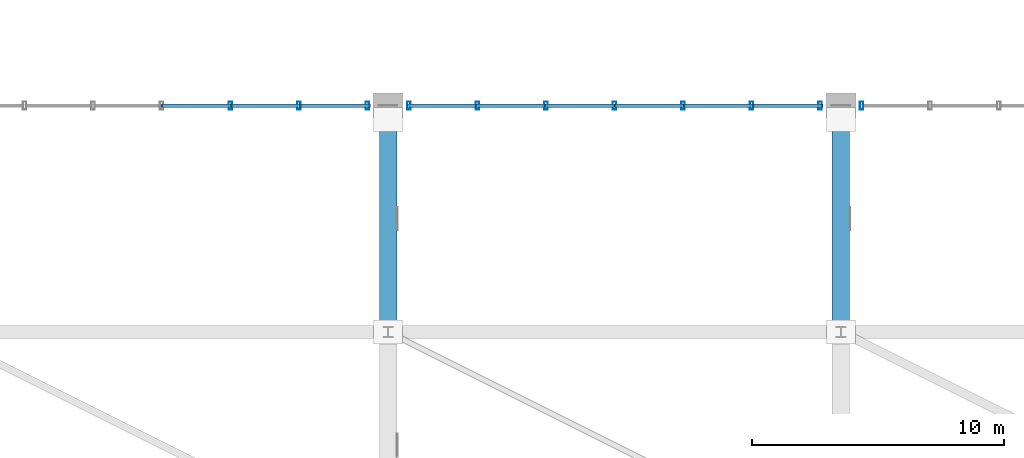
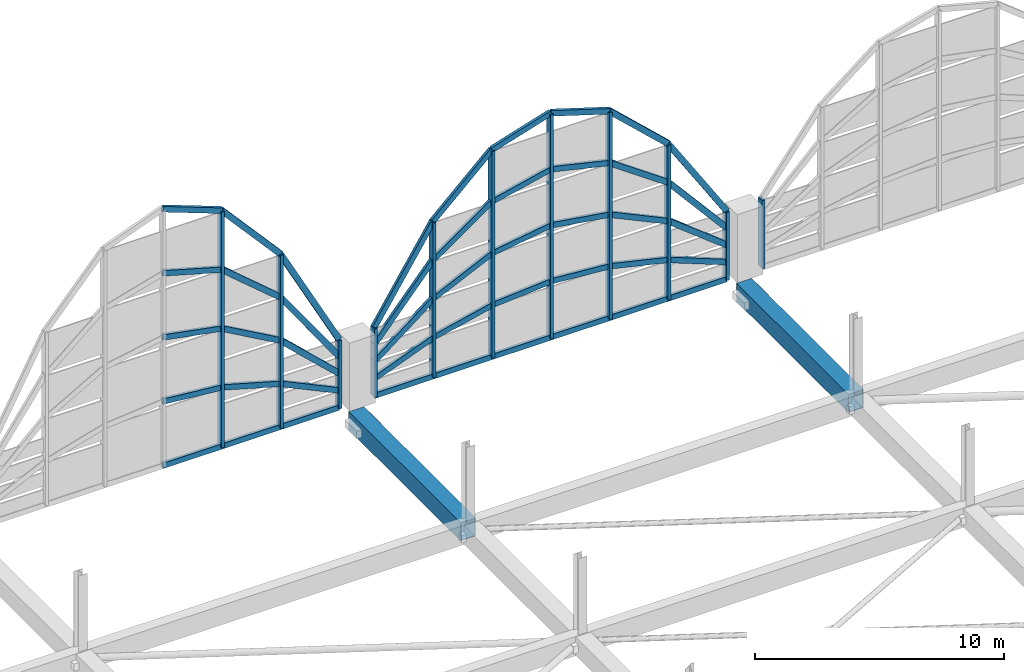
# One storey, part 52 of 116: 56 members, 2 beams, 3 elements without a shape of their own.
"""IFC4 building model written with IfcOpenShell, lengths in metres."""

from ifc_helpers import new_model, si_unit, direction, frame, origin, origin_2d, place, context, subcontext, project, spatial, hollow_rectangle, extrude, material, material_profile, profile_set, type_object, element, aggregate, save


model = new_model("IFC4")

# Units and contexts
model_context = context("Model", 3, precision=1e-05, world=origin(), true_north=direction((0.0, 1.0)))
body_context = subcontext(model_context, "Body", "Model", "MODEL_VIEW")
ifc_project = project(units=[si_unit("LENGTHUNIT", "METRE"), si_unit("AREAUNIT", "SQUARE_METRE"), si_unit("VOLUMEUNIT", "CUBIC_METRE"), si_unit("PLANEANGLEUNIT", "RADIAN"), si_unit("MASSUNIT", "GRAM", prefix="KILO")], contexts=[model_context])

# Site, building, storey
site_placement = place(None, origin())
site = spatial("IfcSite", under=ifc_project, at=site_placement, CompositionType="ELEMENT")
building_placement = place(site_placement, origin())
building = spatial("IfcBuilding", under=site, at=building_placement, Name="Chuanluo Vaults Station", CompositionType="ELEMENT")
storey_placement = place(building_placement, frame((0.0, 0.0, 10.800048828125)))
storey = spatial("IfcBuildingStorey", under=building, at=storey_placement, Name="L02", CompositionType="ELEMENT", Elevation=10.800048828125)

# Beams
ifc_material_1 = material(Name="Steel Q390C", Category="steel")
ifc_material_profile_1 = material_profile(ifc_material_1, hollow_rectangle(XDim=0.699951171875, YDim=0.89990234375, WallThickness=0.035888671875, at=origin_2d()))
ifc_profile_set_1 = profile_set([ifc_material_profile_1], Name="Steel Q390C")
beam_type = type_object("IfcBeamType", Name="BM-TT-TOP", PredefinedType="USERDEFINED", material=ifc_profile_set_1)
for number, where, z_axis, x_axis, name in (
    (1, (72.0, 94.5, -0.85009765625), (0.0, 1.0, 0.0), (-1.0, 0.0, 0.0), "Transfer truss TT-5 top chord 4"),
    (2, (90.0, 94.5, -0.85009765625), (0.0, 1.0, 0.0), (-1.0, 0.0, 0.0), "Transfer truss TT-6 top chord 4"),
):
    element("IfcBeam", number, at=place(storey_placement, frame(where, z_axis=z_axis, x_axis=x_axis)), inside=storey, type_object=beam_type, Name=name, ObjectType="GIRDER", PredefinedType="USERDEFINED", context=body_context, shape_type="SweptSolid", body=[
        extrude(hollow_rectangle(XDim=0.699951171875, YDim=0.89990234375, WallThickness=0.035888671875, at=origin_2d()), origin(), (0.0, 0.0, 1.0), 9.0),
    ])

# Curtain wall, members
ifc_material_2 = material(Name="Anodised aluminium 6063-T6", Category="aluminium")
curtain_wall_type_1 = type_object("IfcCurtainWallType", Name="CW-SYS-13", PredefinedType="NOTDEFINED", material=ifc_material_2)
curtain_wall_1_placement = place(storey_placement, origin())
curtain_wall_1 = element("IfcCurtainWall", 3, at=curtain_wall_1_placement, inside=storey, type_object=curtain_wall_type_1, Name="Vault V4 north arched curtain wall", PredefinedType="NOTDEFINED")
ifc_material_3 = material(Name="Anodised aluminium 6063-T6", Category="aluminium")
ifc_material_profile_2 = material_profile(ifc_material_3, hollow_rectangle(XDim=0.139892578125, YDim=0.320068359375, WallThickness=0.008056640625, at=origin_2d()))
ifc_profile_set_2 = profile_set([ifc_material_profile_2], Name="Anodised aluminium 6063-T6")
member_type_1 = type_object("IfcMemberType", Name="CWM-220", PredefinedType="MULLION", material=ifc_profile_set_2)
member_1_placement = place(storey_placement, frame((65.72509765625, 103.5, 0.0), z_axis=(0.0, 0.0, 1.0), x_axis=(1.0, 0.0, 0.0)))
member_1 = element("IfcMember", 4, at=member_1_placement, type_object=member_type_1, Name="Vault V4 north arched curtain wall mullion 5", PredefinedType="MULLION", context=body_context, shape_type="SweptSolid", body=[
    extrude(hollow_rectangle(XDim=0.139892578125, YDim=0.320068359375, WallThickness=0.008056640625, at=origin_2d()), origin(), (0.0, 0.0, 1.0), 11.572265625),
])
member_2_placement = place(storey_placement, frame((68.449951171875, 103.5, 0.0), z_axis=(0.0, 0.0, 1.0), x_axis=(1.0, 0.0, 0.0)))
member_2 = element("IfcMember", 5, at=member_2_placement, type_object=member_type_1, Name="Vault V4 north arched curtain wall mullion 6", PredefinedType="MULLION", context=body_context, shape_type="SweptSolid", body=[
    extrude(hollow_rectangle(XDim=0.139892578125, YDim=0.320068359375, WallThickness=0.008056640625, at=origin_2d()), origin(), (0.0, 0.0, 1.0), 8.48876953125),
])
member_3_placement = place(storey_placement, frame((71.175048828125, 103.5, 0.0), z_axis=(0.0, 0.0, 1.0), x_axis=(1.0, 0.0, 0.0)))
member_3 = element("IfcMember", 6, at=member_3_placement, type_object=member_type_1, Name="Vault V4 north arched curtain wall mullion 7", PredefinedType="MULLION", context=body_context, shape_type="SweptSolid", body=[
    extrude(hollow_rectangle(XDim=0.139892578125, YDim=0.320068359375, WallThickness=0.008056640625, at=origin_2d()), origin(), (0.0, 0.0, 1.0), 3.349853515625),
])

ifc_material_4 = material(Name="Anodised aluminium 6063-T6", Category="aluminium")
curtain_wall_type_2 = type_object("IfcCurtainWallType", Name="CW-SYS-17", PredefinedType="NOTDEFINED", material=ifc_material_4)
curtain_wall_2_placement = place(storey_placement, origin())
curtain_wall_2 = element("IfcCurtainWall", 7, at=curtain_wall_2_placement, inside=storey, type_object=curtain_wall_type_2, Name="Vault V5 north arched curtain wall", PredefinedType="NOTDEFINED")
member_4_placement = place(storey_placement, frame((72.824951171875, 103.5, 0.0), z_axis=(0.0, 0.0, 1.0), x_axis=(1.0, 0.0, 0.0)))
member_4 = element("IfcMember", 8, at=member_4_placement, type_object=member_type_1, Name="Vault V5 north arched curtain wall mullion 1", PredefinedType="MULLION", context=body_context, shape_type="SweptSolid", body=[
    extrude(hollow_rectangle(XDim=0.139892578125, YDim=0.320068359375, WallThickness=0.008056640625, at=origin_2d()), origin(), (0.0, 0.0, 1.0), 3.349853515625),
])
member_5_placement = place(storey_placement, frame((75.550048828125, 103.5, 0.0), z_axis=(0.0, 0.0, 1.0), x_axis=(1.0, 0.0, 0.0)))
member_5 = element("IfcMember", 9, at=member_5_placement, type_object=member_type_1, Name="Vault V5 north arched curtain wall mullion 2", PredefinedType="MULLION", context=body_context, shape_type="SweptSolid", body=[
    extrude(hollow_rectangle(XDim=0.139892578125, YDim=0.320068359375, WallThickness=0.008056640625, at=origin_2d()), origin(), (0.0, 0.0, 1.0), 7.599853515625),
])
member_6_placement = place(storey_placement, frame((78.27490234375, 103.5, 0.0), z_axis=(0.0, 0.0, 1.0), x_axis=(1.0, 0.0, 0.0)))
member_6 = element("IfcMember", 10, at=member_6_placement, type_object=member_type_1, Name="Vault V5 north arched curtain wall mullion 3", PredefinedType="MULLION", context=body_context, shape_type="SweptSolid", body=[
    extrude(hollow_rectangle(XDim=0.139892578125, YDim=0.320068359375, WallThickness=0.008056640625, at=origin_2d()), origin(), (0.0, 0.0, 1.0), 10.14990234375),
])
member_7_placement = place(storey_placement, frame((81.0, 103.5, 0.0), z_axis=(0.0, 0.0, 1.0), x_axis=(1.0, 0.0, 0.0)))
member_7 = element("IfcMember", 11, at=member_7_placement, type_object=member_type_1, Name="Vault V5 north arched curtain wall mullion 4", PredefinedType="MULLION", context=body_context, shape_type="SweptSolid", body=[
    extrude(hollow_rectangle(XDim=0.139892578125, YDim=0.320068359375, WallThickness=0.008056640625, at=origin_2d()), origin(), (0.0, 0.0, 1.0), 11.0),
])
member_8_placement = place(storey_placement, frame((83.72509765625, 103.5, 0.0), z_axis=(0.0, 0.0, 1.0), x_axis=(1.0, 0.0, 0.0)))
member_8 = element("IfcMember", 12, at=member_8_placement, type_object=member_type_1, Name="Vault V5 north arched curtain wall mullion 5", PredefinedType="MULLION", context=body_context, shape_type="SweptSolid", body=[
    extrude(hollow_rectangle(XDim=0.139892578125, YDim=0.320068359375, WallThickness=0.008056640625, at=origin_2d()), origin(), (0.0, 0.0, 1.0), 10.14990234375),
])
member_9_placement = place(storey_placement, frame((86.449951171875, 103.5, 0.0), z_axis=(0.0, 0.0, 1.0), x_axis=(1.0, 0.0, 0.0)))
member_9 = element("IfcMember", 13, at=member_9_placement, type_object=member_type_1, Name="Vault V5 north arched curtain wall mullion 6", PredefinedType="MULLION", context=body_context, shape_type="SweptSolid", body=[
    extrude(hollow_rectangle(XDim=0.139892578125, YDim=0.320068359375, WallThickness=0.008056640625, at=origin_2d()), origin(), (0.0, 0.0, 1.0), 7.599853515625),
])
member_10_placement = place(storey_placement, frame((89.175048828125, 103.5, 0.0), z_axis=(0.0, 0.0, 1.0), x_axis=(1.0, 0.0, 0.0)))
member_10 = element("IfcMember", 14, at=member_10_placement, type_object=member_type_1, Name="Vault V5 north arched curtain wall mullion 7", PredefinedType="MULLION", context=body_context, shape_type="SweptSolid", body=[
    extrude(hollow_rectangle(XDim=0.139892578125, YDim=0.320068359375, WallThickness=0.008056640625, at=origin_2d()), origin(), (0.0, 0.0, 1.0), 3.349853515625),
])

# Curtain wall, member
ifc_material_5 = material(Name="Anodised aluminium 6063-T6", Category="aluminium")
curtain_wall_type_3 = type_object("IfcCurtainWallType", Name="CW-SYS-21", PredefinedType="NOTDEFINED", material=ifc_material_5)
curtain_wall_3_placement = place(storey_placement, origin())
curtain_wall_3 = element("IfcCurtainWall", 15, at=curtain_wall_3_placement, inside=storey, type_object=curtain_wall_type_3, Name="Vault V6 north arched curtain wall", PredefinedType="NOTDEFINED")
member_11_placement = place(storey_placement, frame((90.824951171875, 103.5, 0.0), z_axis=(0.0, 0.0, 1.0), x_axis=(1.0, 0.0, 0.0)))
member_11 = element("IfcMember", 16, at=member_11_placement, type_object=member_type_1, Name="Vault V6 north arched curtain wall mullion 1", PredefinedType="MULLION", context=body_context, shape_type="SweptSolid", body=[
    extrude(hollow_rectangle(XDim=0.139892578125, YDim=0.320068359375, WallThickness=0.008056640625, at=origin_2d()), origin(), (0.0, 0.0, 1.0), 3.349853515625),
])
aggregate(curtain_wall_3, [member_11])

# Member
ifc_material_6 = material(Name="Anodised aluminium 6063-T6", Category="aluminium")
ifc_material_profile_3 = material_profile(ifc_material_6, hollow_rectangle(XDim=0.139892578125, YDim=0.260009765625, WallThickness=0.007080078125, at=origin_2d()))
ifc_profile_set_3 = profile_set([ifc_material_profile_3], Name="Anodised aluminium 6063-T6")
member_type_2 = type_object("IfcMemberType", Name="CWT-180", PredefinedType="USERDEFINED", material=ifc_profile_set_3)
member_12_placement = place(storey_placement, frame((63.0, 103.5, 0.0), z_axis=(1.0, 0.0, 0.0), x_axis=(0.0, 1.0, 0.0)))
member_12 = element("IfcMember", 17, at=member_12_placement, type_object=member_type_2, Name="Vault V4 north arched curtain wall transom 4.1", ObjectType="TRANSOM", PredefinedType="USERDEFINED", context=body_context, shape_type="SweptSolid", body=[
    extrude(hollow_rectangle(XDim=0.139892578125, YDim=0.260009765625, WallThickness=0.007080078125, at=origin_2d()), origin(), (0.0, 0.0, 1.0), 2.72509765625),
])

member_13_placement = place(storey_placement, frame((63.0, 103.5, 3.14990234375), z_axis=(0.995587996342, 0.0, -0.093832518559), x_axis=(0.0, 1.0, 0.0)))
member_13 = element("IfcMember", 18, at=member_13_placement, type_object=member_type_2, Name="Vault V4 north arched curtain wall transom 4.2", ObjectType="TRANSOM", PredefinedType="USERDEFINED", context=body_context, shape_type="SweptSolid", body=[
    extrude(hollow_rectangle(XDim=0.139892578125, YDim=0.260009765625, WallThickness=0.007080078125, at=origin_2d()), origin(), (0.0, 0.0, 1.0), 2.737060546875),
])

member_14_placement = place(storey_placement, frame((63.0, 103.5, 6.300048828125), z_axis=(0.982678294961, 0.0, -0.185319639034), x_axis=(0.0, 1.0, 0.0)))
member_14 = element("IfcMember", 19, at=member_14_placement, type_object=member_type_2, Name="Vault V4 north arched curtain wall transom 4.3", ObjectType="TRANSOM", PredefinedType="USERDEFINED", context=body_context, shape_type="SweptSolid", body=[
    extrude(hollow_rectangle(XDim=0.139892578125, YDim=0.260009765625, WallThickness=0.007080078125, at=origin_2d()), origin(), (0.0, 0.0, 1.0), 2.773193359375),
])

member_15_placement = place(storey_placement, frame((63.0, 103.5, 9.449951171875), z_axis=(0.962252488614, 0.0, -0.272158314509), x_axis=(0.0, 1.0, 0.0)))
member_15 = element("IfcMember", 20, at=member_15_placement, type_object=member_type_2, Name="Vault V4 north arched curtain wall transom 4.4", ObjectType="TRANSOM", PredefinedType="USERDEFINED", context=body_context, shape_type="SweptSolid", body=[
    extrude(hollow_rectangle(XDim=0.139892578125, YDim=0.260009765625, WallThickness=0.007080078125, at=origin_2d()), origin(), (0.0, 0.0, 1.0), 2.83203125),
])

member_16_placement = place(storey_placement, frame((63.0, 103.5, 12.599853515625), z_axis=(0.935686851878, 0.0, -0.35283156778), x_axis=(0.0, 1.0, 0.0)))
member_16 = element("IfcMember", 21, at=member_16_placement, type_object=member_type_2, Name="Vault V4 north arched curtain wall transom 4.5", ObjectType="TRANSOM", PredefinedType="USERDEFINED", context=body_context, shape_type="SweptSolid", body=[
    extrude(hollow_rectangle(XDim=0.139892578125, YDim=0.260009765625, WallThickness=0.007080078125, at=origin_2d()), origin(), (0.0, 0.0, 1.0), 2.912353515625),
])

member_17_placement = place(storey_placement, frame((65.72509765625, 103.5, 0.0), z_axis=(1.0, 0.0, 0.0), x_axis=(0.0, 1.0, 0.0)))
member_17 = element("IfcMember", 22, at=member_17_placement, type_object=member_type_2, Name="Vault V4 north arched curtain wall transom 5.1", ObjectType="TRANSOM", PredefinedType="USERDEFINED", context=body_context, shape_type="SweptSolid", body=[
    extrude(hollow_rectangle(XDim=0.139892578125, YDim=0.260009765625, WallThickness=0.007080078125, at=origin_2d()), origin(), (0.0, 0.0, 1.0), 2.724853515625),
])

member_18_placement = place(storey_placement, frame((65.72509765625, 103.5, 2.89306640625), z_axis=(0.962223519455, 0.0, -0.272260718075), x_axis=(0.0, 1.0, 0.0)))
member_18 = element("IfcMember", 23, at=member_18_placement, type_object=member_type_2, Name="Vault V4 north arched curtain wall transom 5.2", ObjectType="TRANSOM", PredefinedType="USERDEFINED", context=body_context, shape_type="SweptSolid", body=[
    extrude(hollow_rectangle(XDim=0.139892578125, YDim=0.260009765625, WallThickness=0.007080078125, at=origin_2d()), origin(), (0.0, 0.0, 1.0), 2.831787109375),
])

member_19_placement = place(storey_placement, frame((65.72509765625, 103.5, 5.7861328125), z_axis=(0.870341992142, 0.0, -0.492447780698), x_axis=(0.0, 1.0, 0.0)))
member_19 = element("IfcMember", 24, at=member_19_placement, type_object=member_type_2, Name="Vault V4 north arched curtain wall transom 5.3", ObjectType="TRANSOM", PredefinedType="USERDEFINED", context=body_context, shape_type="SweptSolid", body=[
    extrude(hollow_rectangle(XDim=0.139892578125, YDim=0.260009765625, WallThickness=0.007080078125, at=origin_2d()), origin(), (0.0, 0.0, 1.0), 3.130859375),
])

member_20_placement = place(storey_placement, frame((65.72509765625, 103.5, 8.67919921875), z_axis=(0.762439687488, 0.0, -0.647059288584), x_axis=(0.0, 1.0, 0.0)))
member_20 = element("IfcMember", 25, at=member_20_placement, type_object=member_type_2, Name="Vault V4 north arched curtain wall transom 5.4", ObjectType="TRANSOM", PredefinedType="USERDEFINED", context=body_context, shape_type="SweptSolid", body=[
    extrude(hollow_rectangle(XDim=0.139892578125, YDim=0.260009765625, WallThickness=0.007080078125, at=origin_2d()), origin(), (0.0, 0.0, 1.0), 3.573974609375),
])

member_21_placement = place(storey_placement, frame((65.72509765625, 103.5, 11.572265625), z_axis=(0.662184625889, 0.0, -0.749340724395), x_axis=(0.0, 1.0, 0.0)))
member_21 = element("IfcMember", 26, at=member_21_placement, type_object=member_type_2, Name="Vault V4 north arched curtain wall transom 5.5", ObjectType="TRANSOM", PredefinedType="USERDEFINED", context=body_context, shape_type="SweptSolid", body=[
    extrude(hollow_rectangle(XDim=0.139892578125, YDim=0.260009765625, WallThickness=0.007080078125, at=origin_2d()), origin(), (0.0, 0.0, 1.0), 4.114990234375),
])

member_22_placement = place(storey_placement, frame((68.449951171875, 103.5, 0.0), z_axis=(1.0, 0.0, 0.0), x_axis=(0.0, 1.0, 0.0)))
member_22 = element("IfcMember", 27, at=member_22_placement, type_object=member_type_2, Name="Vault V4 north arched curtain wall transom 6.1", ObjectType="TRANSOM", PredefinedType="USERDEFINED", context=body_context, shape_type="SweptSolid", body=[
    extrude(hollow_rectangle(XDim=0.139892578125, YDim=0.260009765625, WallThickness=0.007080078125, at=origin_2d()), origin(), (0.0, 0.0, 1.0), 2.72509765625),
])

member_23_placement = place(storey_placement, frame((68.449951171875, 103.5, 2.1220703125), z_axis=(0.904528322091, 0.0, -0.426413548723), x_axis=(0.0, 1.0, 0.0)))
member_23 = element("IfcMember", 28, at=member_23_placement, type_object=member_type_2, Name="Vault V4 north arched curtain wall transom 6.2", ObjectType="TRANSOM", PredefinedType="USERDEFINED", context=body_context, shape_type="SweptSolid", body=[
    extrude(hollow_rectangle(XDim=0.139892578125, YDim=0.260009765625, WallThickness=0.007080078125, at=origin_2d()), origin(), (0.0, 0.0, 1.0), 3.0126953125),
])

member_24_placement = place(storey_placement, frame((68.449951171875, 103.5, 4.244384765625), z_axis=(0.727594983789, 0.0, -0.686006953001), x_axis=(0.0, 1.0, 0.0)))
member_24 = element("IfcMember", 29, at=member_24_placement, type_object=member_type_2, Name="Vault V4 north arched curtain wall transom 6.3", ObjectType="TRANSOM", PredefinedType="USERDEFINED", context=body_context, shape_type="SweptSolid", body=[
    extrude(hollow_rectangle(XDim=0.139892578125, YDim=0.260009765625, WallThickness=0.007080078125, at=origin_2d()), origin(), (0.0, 0.0, 1.0), 3.745361328125),
])

member_25_placement = place(storey_placement, frame((68.449951171875, 103.5, 6.36669921875), z_axis=(0.577312520527, 0.0, -0.816523271954), x_axis=(0.0, 1.0, 0.0)))
member_25 = element("IfcMember", 30, at=member_25_placement, type_object=member_type_2, Name="Vault V4 north arched curtain wall transom 6.4", ObjectType="TRANSOM", PredefinedType="USERDEFINED", context=body_context, shape_type="SweptSolid", body=[
    extrude(hollow_rectangle(XDim=0.139892578125, YDim=0.260009765625, WallThickness=0.007080078125, at=origin_2d()), origin(), (0.0, 0.0, 1.0), 4.72021484375),
])

member_26_placement = place(storey_placement, frame((68.449951171875, 103.5, 8.48876953125), z_axis=(0.468491213708, 0.0, -0.883468156007), x_axis=(0.0, 1.0, 0.0)))
member_26 = element("IfcMember", 31, at=member_26_placement, type_object=member_type_2, Name="Vault V4 north arched curtain wall transom 6.5", ObjectType="TRANSOM", PredefinedType="USERDEFINED", context=body_context, shape_type="SweptSolid", body=[
    extrude(hollow_rectangle(XDim=0.139892578125, YDim=0.260009765625, WallThickness=0.007080078125, at=origin_2d()), origin(), (0.0, 0.0, 1.0), 5.816650390625),
])

aggregate(curtain_wall_1, [member_1, member_2, member_3, member_12, member_13, member_14, member_15, member_16, member_17, member_18, member_19, member_20, member_21, member_22, member_23, member_24, member_25, member_26])

member_27_placement = place(storey_placement, frame((72.824951171875, 103.5, 0.0), z_axis=(1.0, 0.0, 0.0), x_axis=(0.0, 1.0, 0.0)))
member_27 = element("IfcMember", 32, at=member_27_placement, type_object=member_type_2, Name="Vault V5 north arched curtain wall transom 1.1", ObjectType="TRANSOM", PredefinedType="USERDEFINED", context=body_context, shape_type="SweptSolid", body=[
    extrude(hollow_rectangle(XDim=0.139892578125, YDim=0.260009765625, WallThickness=0.007080078125, at=origin_2d()), origin(), (0.0, 0.0, 1.0), 2.72509765625),
])

member_28_placement = place(storey_placement, frame((72.824951171875, 103.5, 0.83740234375), z_axis=(0.931687892664, 0.0, 0.363259783988), x_axis=(0.0, 1.0, 0.0)))
member_28 = element("IfcMember", 33, at=member_28_placement, type_object=member_type_2, Name="Vault V5 north arched curtain wall transom 1.2", ObjectType="TRANSOM", PredefinedType="USERDEFINED", context=body_context, shape_type="SweptSolid", body=[
    extrude(hollow_rectangle(XDim=0.139892578125, YDim=0.260009765625, WallThickness=0.007080078125, at=origin_2d()), origin(), (0.0, 0.0, 1.0), 2.9248046875),
])

member_29_placement = place(storey_placement, frame((72.824951171875, 103.5, 1.675048828125), z_axis=(0.788583156277, 0.0, 0.614928130464), x_axis=(0.0, 1.0, 0.0)))
member_29 = element("IfcMember", 34, at=member_29_placement, type_object=member_type_2, Name="Vault V5 north arched curtain wall transom 1.3", ObjectType="TRANSOM", PredefinedType="USERDEFINED", context=body_context, shape_type="SweptSolid", body=[
    extrude(hollow_rectangle(XDim=0.139892578125, YDim=0.260009765625, WallThickness=0.007080078125, at=origin_2d()), origin(), (0.0, 0.0, 1.0), 3.45556640625),
])

member_30_placement = place(storey_placement, frame((72.824951171875, 103.5, 2.512451171875), z_axis=(0.649822380818, 0.0, 0.760086096037), x_axis=(0.0, 1.0, 0.0)))
member_30 = element("IfcMember", 35, at=member_30_placement, type_object=member_type_2, Name="Vault V5 north arched curtain wall transom 1.4", ObjectType="TRANSOM", PredefinedType="USERDEFINED", context=body_context, shape_type="SweptSolid", body=[
    extrude(hollow_rectangle(XDim=0.139892578125, YDim=0.260009765625, WallThickness=0.007080078125, at=origin_2d()), origin(), (0.0, 0.0, 1.0), 4.193603515625),
])

member_31_placement = place(storey_placement, frame((72.824951171875, 103.5, 3.349853515625), z_axis=(0.539769811752, 0.0, 0.841812657497), x_axis=(0.0, 1.0, 0.0)))
member_31 = element("IfcMember", 36, at=member_31_placement, type_object=member_type_2, Name="Vault V5 north arched curtain wall transom 1.5", ObjectType="TRANSOM", PredefinedType="USERDEFINED", context=body_context, shape_type="SweptSolid", body=[
    extrude(hollow_rectangle(XDim=0.139892578125, YDim=0.260009765625, WallThickness=0.007080078125, at=origin_2d()), origin(), (0.0, 0.0, 1.0), 5.048583984375),
])

member_32_placement = place(storey_placement, frame((75.550048828125, 103.5, 0.0), z_axis=(1.0, 0.0, 0.0), x_axis=(0.0, 1.0, 0.0)))
member_32 = element("IfcMember", 37, at=member_32_placement, type_object=member_type_2, Name="Vault V5 north arched curtain wall transom 2.1", ObjectType="TRANSOM", PredefinedType="USERDEFINED", context=body_context, shape_type="SweptSolid", body=[
    extrude(hollow_rectangle(XDim=0.139892578125, YDim=0.260009765625, WallThickness=0.007080078125, at=origin_2d()), origin(), (0.0, 0.0, 1.0), 2.724853515625),
])

member_33_placement = place(storey_placement, frame((75.550048828125, 103.5, 1.89990234375), z_axis=(0.973710415309, 0.0, 0.227789435926), x_axis=(0.0, 1.0, 0.0)))
member_33 = element("IfcMember", 38, at=member_33_placement, type_object=member_type_2, Name="Vault V5 north arched curtain wall transom 2.2", ObjectType="TRANSOM", PredefinedType="USERDEFINED", context=body_context, shape_type="SweptSolid", body=[
    extrude(hollow_rectangle(XDim=0.139892578125, YDim=0.260009765625, WallThickness=0.007080078125, at=origin_2d()), origin(), (0.0, 0.0, 1.0), 2.79833984375),
])

member_34_placement = place(storey_placement, frame((75.550048828125, 103.5, 3.800048828125), z_axis=(0.905761814953, 0.0, 0.423787133562), x_axis=(0.0, 1.0, 0.0)))
member_34 = element("IfcMember", 39, at=member_34_placement, type_object=member_type_2, Name="Vault V5 north arched curtain wall transom 2.3", ObjectType="TRANSOM", PredefinedType="USERDEFINED", context=body_context, shape_type="SweptSolid", body=[
    extrude(hollow_rectangle(XDim=0.139892578125, YDim=0.260009765625, WallThickness=0.007080078125, at=origin_2d()), origin(), (0.0, 0.0, 1.0), 3.00830078125),
])

member_35_placement = place(storey_placement, frame((75.550048828125, 103.5, 5.699951171875), z_axis=(0.818497402658, 0.0, 0.574510227795), x_axis=(0.0, 1.0, 0.0)))
member_35 = element("IfcMember", 40, at=member_35_placement, type_object=member_type_2, Name="Vault V5 north arched curtain wall transom 2.4", ObjectType="TRANSOM", PredefinedType="USERDEFINED", context=body_context, shape_type="SweptSolid", body=[
    extrude(hollow_rectangle(XDim=0.139892578125, YDim=0.260009765625, WallThickness=0.007080078125, at=origin_2d()), origin(), (0.0, 0.0, 1.0), 3.3291015625),
])

member_36_placement = place(storey_placement, frame((75.550048828125, 103.5, 7.599853515625), z_axis=(0.730138747067, 0.0, 0.683298917043), x_axis=(0.0, 1.0, 0.0)))
member_36 = element("IfcMember", 41, at=member_36_placement, type_object=member_type_2, Name="Vault V5 north arched curtain wall transom 2.5", ObjectType="TRANSOM", PredefinedType="USERDEFINED", context=body_context, shape_type="SweptSolid", body=[
    extrude(hollow_rectangle(XDim=0.139892578125, YDim=0.260009765625, WallThickness=0.007080078125, at=origin_2d()), origin(), (0.0, 0.0, 1.0), 3.73193359375),
])

member_37_placement = place(storey_placement, frame((78.27490234375, 103.5, 0.0), z_axis=(1.0, 0.0, 0.0), x_axis=(0.0, 1.0, 0.0)))
member_37 = element("IfcMember", 42, at=member_37_placement, type_object=member_type_2, Name="Vault V5 north arched curtain wall transom 3.1", ObjectType="TRANSOM", PredefinedType="USERDEFINED", context=body_context, shape_type="SweptSolid", body=[
    extrude(hollow_rectangle(XDim=0.139892578125, YDim=0.260009765625, WallThickness=0.007080078125, at=origin_2d()), origin(), (0.0, 0.0, 1.0), 2.72509765625),
])

member_38_placement = place(storey_placement, frame((78.27490234375, 103.5, 2.537353515625), z_axis=(0.996969289534, 0.0, 0.077796116393), x_axis=(0.0, 1.0, 0.0)))
member_38 = element("IfcMember", 43, at=member_38_placement, type_object=member_type_2, Name="Vault V5 north arched curtain wall transom 3.2", ObjectType="TRANSOM", PredefinedType="USERDEFINED", context=body_context, shape_type="SweptSolid", body=[
    extrude(hollow_rectangle(XDim=0.139892578125, YDim=0.260009765625, WallThickness=0.007080078125, at=origin_2d()), origin(), (0.0, 0.0, 1.0), 2.7333984375),
])

member_39_placement = place(storey_placement, frame((78.27490234375, 103.5, 5.074951171875), z_axis=(0.988053346736, 0.0, 0.154112244819), x_axis=(0.0, 1.0, 0.0)))
member_39 = element("IfcMember", 44, at=member_39_placement, type_object=member_type_2, Name="Vault V5 north arched curtain wall transom 3.3", ObjectType="TRANSOM", PredefinedType="USERDEFINED", context=body_context, shape_type="SweptSolid", body=[
    extrude(hollow_rectangle(XDim=0.139892578125, YDim=0.260009765625, WallThickness=0.007080078125, at=origin_2d()), origin(), (0.0, 0.0, 1.0), 2.758056640625),
])

member_40_placement = place(storey_placement, frame((78.27490234375, 103.5, 7.612548828125), z_axis=(0.973714941559, 0.0, 0.227770087118), x_axis=(0.0, 1.0, 0.0)))
member_40 = element("IfcMember", 45, at=member_40_placement, type_object=member_type_2, Name="Vault V5 north arched curtain wall transom 3.4", ObjectType="TRANSOM", PredefinedType="USERDEFINED", context=body_context, shape_type="SweptSolid", body=[
    extrude(hollow_rectangle(XDim=0.139892578125, YDim=0.260009765625, WallThickness=0.007080078125, at=origin_2d()), origin(), (0.0, 0.0, 1.0), 2.798583984375),
])

member_41_placement = place(storey_placement, frame((78.27490234375, 103.5, 10.14990234375), z_axis=(0.954628994684, 0.0, 0.297797720793), x_axis=(0.0, 1.0, 0.0)))
member_41 = element("IfcMember", 46, at=member_41_placement, type_object=member_type_2, Name="Vault V5 north arched curtain wall transom 3.5", ObjectType="TRANSOM", PredefinedType="USERDEFINED", context=body_context, shape_type="SweptSolid", body=[
    extrude(hollow_rectangle(XDim=0.139892578125, YDim=0.260009765625, WallThickness=0.007080078125, at=origin_2d()), origin(), (0.0, 0.0, 1.0), 2.854736328125),
])

member_42_placement = place(storey_placement, frame((81.0, 103.5, 0.0), z_axis=(1.0, 0.0, 0.0), x_axis=(0.0, 1.0, 0.0)))
member_42 = element("IfcMember", 47, at=member_42_placement, type_object=member_type_2, Name="Vault V5 north arched curtain wall transom 4.1", ObjectType="TRANSOM", PredefinedType="USERDEFINED", context=body_context, shape_type="SweptSolid", body=[
    extrude(hollow_rectangle(XDim=0.139892578125, YDim=0.260009765625, WallThickness=0.007080078125, at=origin_2d()), origin(), (0.0, 0.0, 1.0), 2.72509765625),
])

member_43_placement = place(storey_placement, frame((81.0, 103.5, 2.75), z_axis=(0.996969289534, 0.0, -0.077796116393), x_axis=(0.0, 1.0, 0.0)))
member_43 = element("IfcMember", 48, at=member_43_placement, type_object=member_type_2, Name="Vault V5 north arched curtain wall transom 4.2", ObjectType="TRANSOM", PredefinedType="USERDEFINED", context=body_context, shape_type="SweptSolid", body=[
    extrude(hollow_rectangle(XDim=0.139892578125, YDim=0.260009765625, WallThickness=0.007080078125, at=origin_2d()), origin(), (0.0, 0.0, 1.0), 2.7333984375),
])

member_44_placement = place(storey_placement, frame((81.0, 103.5, 5.5), z_axis=(0.988053346736, 0.0, -0.154112244819), x_axis=(0.0, 1.0, 0.0)))
member_44 = element("IfcMember", 49, at=member_44_placement, type_object=member_type_2, Name="Vault V5 north arched curtain wall transom 4.3", ObjectType="TRANSOM", PredefinedType="USERDEFINED", context=body_context, shape_type="SweptSolid", body=[
    extrude(hollow_rectangle(XDim=0.139892578125, YDim=0.260009765625, WallThickness=0.007080078125, at=origin_2d()), origin(), (0.0, 0.0, 1.0), 2.758056640625),
])

member_45_placement = place(storey_placement, frame((81.0, 103.5, 8.25), z_axis=(0.973714941559, 0.0, -0.227770087118), x_axis=(0.0, 1.0, 0.0)))
member_45 = element("IfcMember", 50, at=member_45_placement, type_object=member_type_2, Name="Vault V5 north arched curtain wall transom 4.4", ObjectType="TRANSOM", PredefinedType="USERDEFINED", context=body_context, shape_type="SweptSolid", body=[
    extrude(hollow_rectangle(XDim=0.139892578125, YDim=0.260009765625, WallThickness=0.007080078125, at=origin_2d()), origin(), (0.0, 0.0, 1.0), 2.798583984375),
])

member_46_placement = place(storey_placement, frame((81.0, 103.5, 11.0), z_axis=(0.954628994684, 0.0, -0.297797720793), x_axis=(0.0, 1.0, 0.0)))
member_46 = element("IfcMember", 51, at=member_46_placement, type_object=member_type_2, Name="Vault V5 north arched curtain wall transom 4.5", ObjectType="TRANSOM", PredefinedType="USERDEFINED", context=body_context, shape_type="SweptSolid", body=[
    extrude(hollow_rectangle(XDim=0.139892578125, YDim=0.260009765625, WallThickness=0.007080078125, at=origin_2d()), origin(), (0.0, 0.0, 1.0), 2.854736328125),
])

member_47_placement = place(storey_placement, frame((83.72509765625, 103.5, 0.0), z_axis=(1.0, 0.0, 0.0), x_axis=(0.0, 1.0, 0.0)))
member_47 = element("IfcMember", 52, at=member_47_placement, type_object=member_type_2, Name="Vault V5 north arched curtain wall transom 5.1", ObjectType="TRANSOM", PredefinedType="USERDEFINED", context=body_context, shape_type="SweptSolid", body=[
    extrude(hollow_rectangle(XDim=0.139892578125, YDim=0.260009765625, WallThickness=0.007080078125, at=origin_2d()), origin(), (0.0, 0.0, 1.0), 2.724853515625),
])

member_48_placement = place(storey_placement, frame((83.72509765625, 103.5, 2.537353515625), z_axis=(0.973710415309, 0.0, -0.227789435926), x_axis=(0.0, 1.0, 0.0)))
member_48 = element("IfcMember", 53, at=member_48_placement, type_object=member_type_2, Name="Vault V5 north arched curtain wall transom 5.2", ObjectType="TRANSOM", PredefinedType="USERDEFINED", context=body_context, shape_type="SweptSolid", body=[
    extrude(hollow_rectangle(XDim=0.139892578125, YDim=0.260009765625, WallThickness=0.007080078125, at=origin_2d()), origin(), (0.0, 0.0, 1.0), 2.79833984375),
])

member_49_placement = place(storey_placement, frame((83.72509765625, 103.5, 5.074951171875), z_axis=(0.905761814953, 0.0, -0.423787133562), x_axis=(0.0, 1.0, 0.0)))
member_49 = element("IfcMember", 54, at=member_49_placement, type_object=member_type_2, Name="Vault V5 north arched curtain wall transom 5.3", ObjectType="TRANSOM", PredefinedType="USERDEFINED", context=body_context, shape_type="SweptSolid", body=[
    extrude(hollow_rectangle(XDim=0.139892578125, YDim=0.260009765625, WallThickness=0.007080078125, at=origin_2d()), origin(), (0.0, 0.0, 1.0), 3.00830078125),
])

member_50_placement = place(storey_placement, frame((83.72509765625, 103.5, 7.612548828125), z_axis=(0.818497402658, 0.0, -0.574510227795), x_axis=(0.0, 1.0, 0.0)))
member_50 = element("IfcMember", 55, at=member_50_placement, type_object=member_type_2, Name="Vault V5 north arched curtain wall transom 5.4", ObjectType="TRANSOM", PredefinedType="USERDEFINED", context=body_context, shape_type="SweptSolid", body=[
    extrude(hollow_rectangle(XDim=0.139892578125, YDim=0.260009765625, WallThickness=0.007080078125, at=origin_2d()), origin(), (0.0, 0.0, 1.0), 3.3291015625),
])

member_51_placement = place(storey_placement, frame((83.72509765625, 103.5, 10.14990234375), z_axis=(0.730138747067, 0.0, -0.683298917043), x_axis=(0.0, 1.0, 0.0)))
member_51 = element("IfcMember", 56, at=member_51_placement, type_object=member_type_2, Name="Vault V5 north arched curtain wall transom 5.5", ObjectType="TRANSOM", PredefinedType="USERDEFINED", context=body_context, shape_type="SweptSolid", body=[
    extrude(hollow_rectangle(XDim=0.139892578125, YDim=0.260009765625, WallThickness=0.007080078125, at=origin_2d()), origin(), (0.0, 0.0, 1.0), 3.73193359375),
])

member_52_placement = place(storey_placement, frame((86.449951171875, 103.5, 0.0), z_axis=(1.0, 0.0, 0.0), x_axis=(0.0, 1.0, 0.0)))
member_52 = element("IfcMember", 57, at=member_52_placement, type_object=member_type_2, Name="Vault V5 north arched curtain wall transom 6.1", ObjectType="TRANSOM", PredefinedType="USERDEFINED", context=body_context, shape_type="SweptSolid", body=[
    extrude(hollow_rectangle(XDim=0.139892578125, YDim=0.260009765625, WallThickness=0.007080078125, at=origin_2d()), origin(), (0.0, 0.0, 1.0), 2.72509765625),
])

member_53_placement = place(storey_placement, frame((86.449951171875, 103.5, 1.89990234375), z_axis=(0.931687892664, 0.0, -0.363259783988), x_axis=(0.0, 1.0, 0.0)))
member_53 = element("IfcMember", 58, at=member_53_placement, type_object=member_type_2, Name="Vault V5 north arched curtain wall transom 6.2", ObjectType="TRANSOM", PredefinedType="USERDEFINED", context=body_context, shape_type="SweptSolid", body=[
    extrude(hollow_rectangle(XDim=0.139892578125, YDim=0.260009765625, WallThickness=0.007080078125, at=origin_2d()), origin(), (0.0, 0.0, 1.0), 2.9248046875),
])

member_54_placement = place(storey_placement, frame((86.449951171875, 103.5, 3.800048828125), z_axis=(0.788583156277, 0.0, -0.614928130464), x_axis=(0.0, 1.0, 0.0)))
member_54 = element("IfcMember", 59, at=member_54_placement, type_object=member_type_2, Name="Vault V5 north arched curtain wall transom 6.3", ObjectType="TRANSOM", PredefinedType="USERDEFINED", context=body_context, shape_type="SweptSolid", body=[
    extrude(hollow_rectangle(XDim=0.139892578125, YDim=0.260009765625, WallThickness=0.007080078125, at=origin_2d()), origin(), (0.0, 0.0, 1.0), 3.45556640625),
])

member_55_placement = place(storey_placement, frame((86.449951171875, 103.5, 5.699951171875), z_axis=(0.649822380818, 0.0, -0.760086096037), x_axis=(0.0, 1.0, 0.0)))
member_55 = element("IfcMember", 60, at=member_55_placement, type_object=member_type_2, Name="Vault V5 north arched curtain wall transom 6.4", ObjectType="TRANSOM", PredefinedType="USERDEFINED", context=body_context, shape_type="SweptSolid", body=[
    extrude(hollow_rectangle(XDim=0.139892578125, YDim=0.260009765625, WallThickness=0.007080078125, at=origin_2d()), origin(), (0.0, 0.0, 1.0), 4.193603515625),
])

member_56_placement = place(storey_placement, frame((86.449951171875, 103.5, 7.599853515625), z_axis=(0.539769811752, 0.0, -0.841812657497), x_axis=(0.0, 1.0, 0.0)))
member_56 = element("IfcMember", 61, at=member_56_placement, type_object=member_type_2, Name="Vault V5 north arched curtain wall transom 6.5", ObjectType="TRANSOM", PredefinedType="USERDEFINED", context=body_context, shape_type="SweptSolid", body=[
    extrude(hollow_rectangle(XDim=0.139892578125, YDim=0.260009765625, WallThickness=0.007080078125, at=origin_2d()), origin(), (0.0, 0.0, 1.0), 5.048583984375),
])

aggregate(curtain_wall_2, [member_4, member_5, member_6, member_7, member_8, member_9, member_10, member_27, member_28, member_29, member_30, member_31, member_32, member_33, member_34, member_35, member_36, member_37, member_38, member_39, member_40, member_41, member_42, member_43, member_44, member_45, member_46, member_47, member_48, member_49, member_50, member_51, member_52, member_53, member_54, member_55, member_56])

save(model, "model.ifc")
